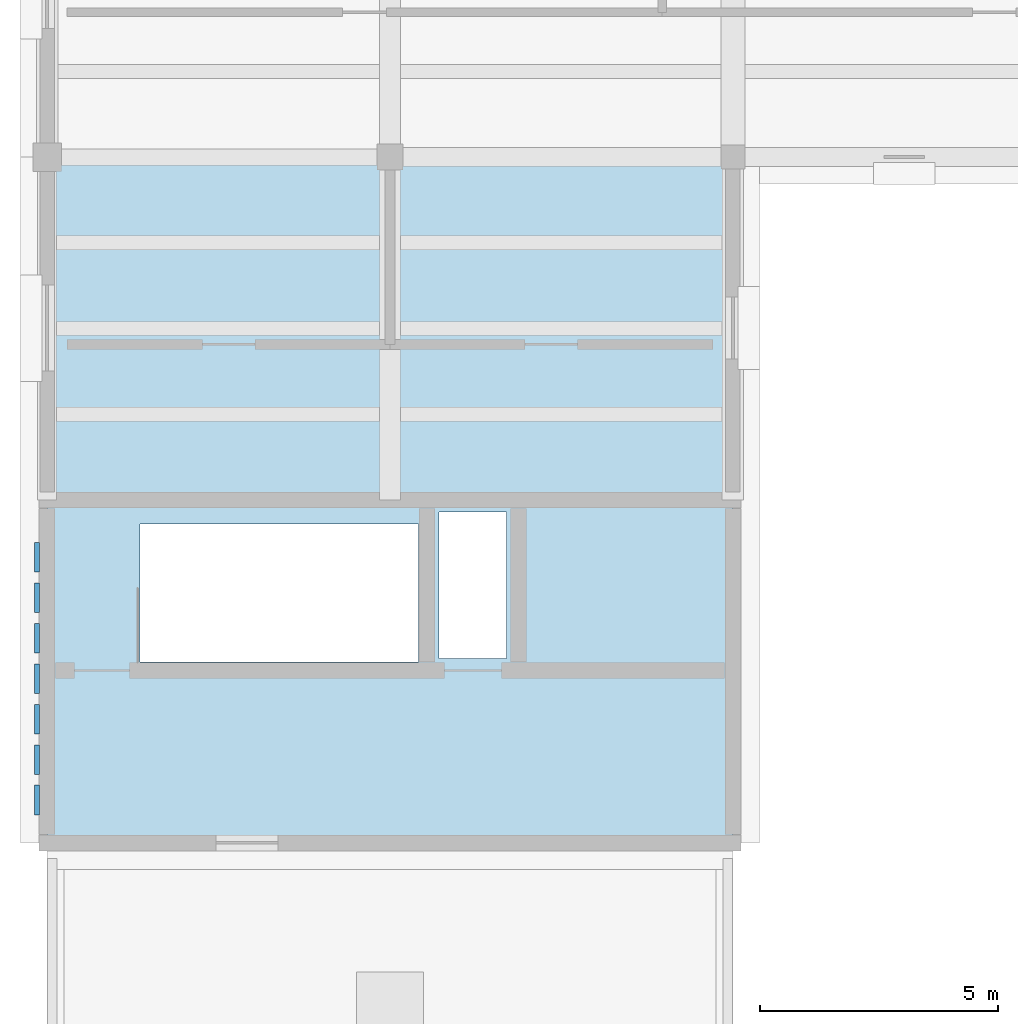
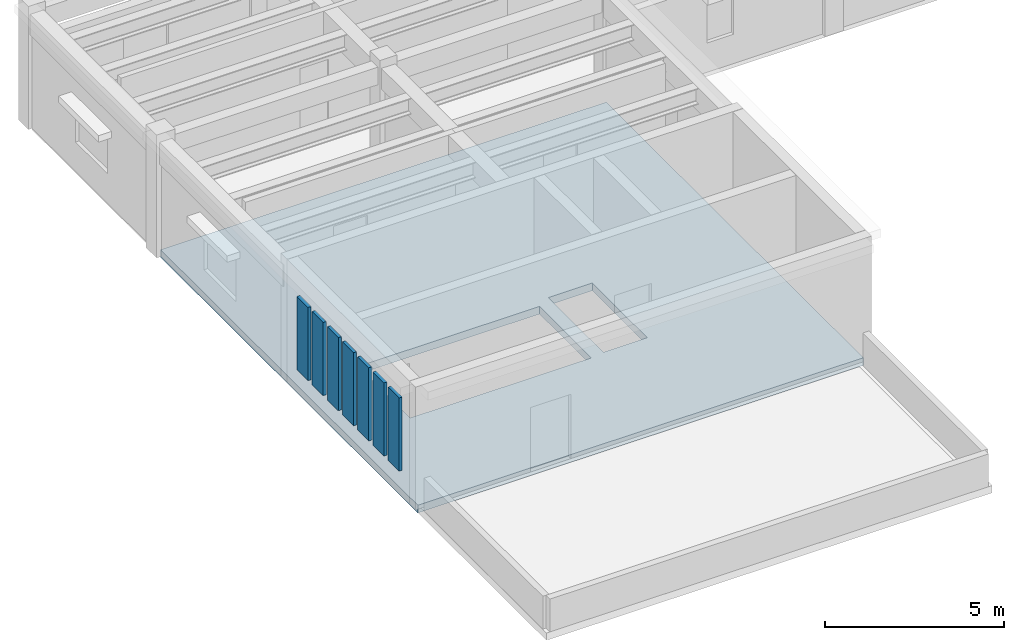
# One storey, part 5 of 22: 7 plates, 1 slab.
"""IFC4 building model written with IfcOpenShell, lengths in metres."""

from ifc_helpers import new_model, si_unit, direction, frame, origin, origin_2d, place, context, subcontext, project, spatial, polyline, rectangle, outline, extrude, material, layer, layer_set, type_object, element, save


model = new_model("IFC4")

# Units and contexts
model_context = context("Model", 3, precision=1e-05, world=origin(), true_north=direction((0.0, 1.0)))
body_context = subcontext(model_context, "Body", "Model", "MODEL_VIEW")
ifc_project = project(units=[si_unit("LENGTHUNIT", "METRE"), si_unit("AREAUNIT", "SQUARE_METRE"), si_unit("VOLUMEUNIT", "CUBIC_METRE"), si_unit("PLANEANGLEUNIT", "RADIAN"), si_unit("MASSUNIT", "GRAM", prefix="KILO")], contexts=[model_context])

# Site, building, storey
site_placement = place(None, origin())
site = spatial("IfcSite", under=ifc_project, at=site_placement, CompositionType="ELEMENT")
building_placement = place(site_placement, origin())
building = spatial("IfcBuilding", under=site, at=building_placement, Name="Mithqara Police Headquarters", CompositionType="ELEMENT")
storey_placement = place(building_placement, frame((0.0, 0.0, 22.199951171875)))
storey = spatial("IfcBuildingStorey", under=building, at=storey_placement, Name="L05", CompositionType="ELEMENT", Elevation=22.199951171875)

# Slab
ifc_material_1 = material(Name="Concrete C40/50", Category="concrete")
ifc_layer_1 = layer(ifc_material_1, 0.260009765625, Name="Concrete C40/50")
ifc_layer_set_1 = layer_set([ifc_layer_1], Name="Concrete C40/50")
slab_type = type_object("IfcSlabType", Name="FLOOR SLAB 260", PredefinedType="FLOOR", material=ifc_layer_set_1)
slab_placement = place(storey_placement, frame((0.0, 0.0, -0.260009765625)))
element("IfcSlab", 1, at=slab_placement, inside=storey, type_object=slab_type, Name="L05 Structural Slab L05-V5W", PredefinedType="FLOOR", context=body_context, shape_type="SweptSolid", body=[
    extrude(outline(polyline([(22.199951171875, 64.199951171875), (7.800048828125, 64.199951171875), (7.800048828125, 78.60009765625), (9.60009765625, 78.60009765625), (13.800048828125, 78.60009765625), (22.199951171875, 78.60009765625), (22.199951171875, 64.199951171875)]), holes=[polyline([(9.75, 68.0), (15.60009765625, 68.0), (15.60009765625, 70.89990234375), (9.75, 70.89990234375), (9.75, 68.0)]), polyline([(17.449951171875, 68.070068359375), (17.449951171875, 71.14990234375), (16.030029296875, 71.14990234375), (16.030029296875, 68.070068359375), (17.449951171875, 68.070068359375)])]), origin(), (0.0, 0.0, 1.0), 0.260009765625),
])

# Plates
ifc_material_2 = material(Name="Limestone ashlar masonry, 45 MPa", Category="masonry")
ifc_layer_2 = layer(ifc_material_2, 0.10009765625, Name="Limestone ashlar masonry, 45 MPa")
ifc_layer_set_2 = layer_set([ifc_layer_2], Name="Limestone ashlar masonry, 45 MPa")
plate_type = type_object("IfcPlateType", Name="STONE SCREEN 100", PredefinedType="USERDEFINED", material=ifc_layer_set_2)
for number, where, z_axis, x_axis, name in (
    (2, (7.5849609375, 65.10009765625, 0.900146484375), (0.0, 0.0, 1.0), (0.0, 1.0, 0.0), "L05 Core C3 Pierced Vertical-Slit Screen 1"),
    (3, (7.5849609375, 65.949951171875, 0.900146484375), (0.0, 0.0, 1.0), (0.0, 1.0, 0.0), "L05 Core C3 Pierced Vertical-Slit Screen 2"),
    (4, (7.5849609375, 66.800048828125, 0.900146484375), (0.0, 0.0, 1.0), (0.0, 1.0, 0.0), "L05 Core C3 Pierced Vertical-Slit Screen 3"),
    (5, (7.5849609375, 67.64990234375, 0.900146484375), (0.0, 0.0, 1.0), (0.0, 1.0, 0.0), "L05 Core C3 Pierced Vertical-Slit Screen 4"),
    (6, (7.5849609375, 68.5, 0.900146484375), (0.0, 0.0, 1.0), (0.0, 1.0, 0.0), "L05 Core C3 Pierced Vertical-Slit Screen 5"),
    (7, (7.5849609375, 69.35009765625, 0.900146484375), (0.0, 0.0, 1.0), (0.0, 1.0, 0.0), "L05 Core C3 Pierced Vertical-Slit Screen 6"),
    (8, (7.5849609375, 70.199951171875, 0.900146484375), (0.0, 0.0, 1.0), (0.0, 1.0, 0.0), "L05 Core C3 Pierced Vertical-Slit Screen 7"),
):
    element("IfcPlate", number, at=place(storey_placement, frame(where, z_axis=z_axis, x_axis=x_axis)), inside=storey, type_object=plate_type, Name=name, ObjectType="STONE SCREEN", PredefinedType="USERDEFINED", context=body_context, shape_type="SweptSolid", body=[
        extrude(rectangle(XDim=0.6201171875, YDim=0.10009765625, at=origin_2d()), origin(), (0.0, 0.0, 1.0), 2.5),
    ])

save(model, "model.ifc")
